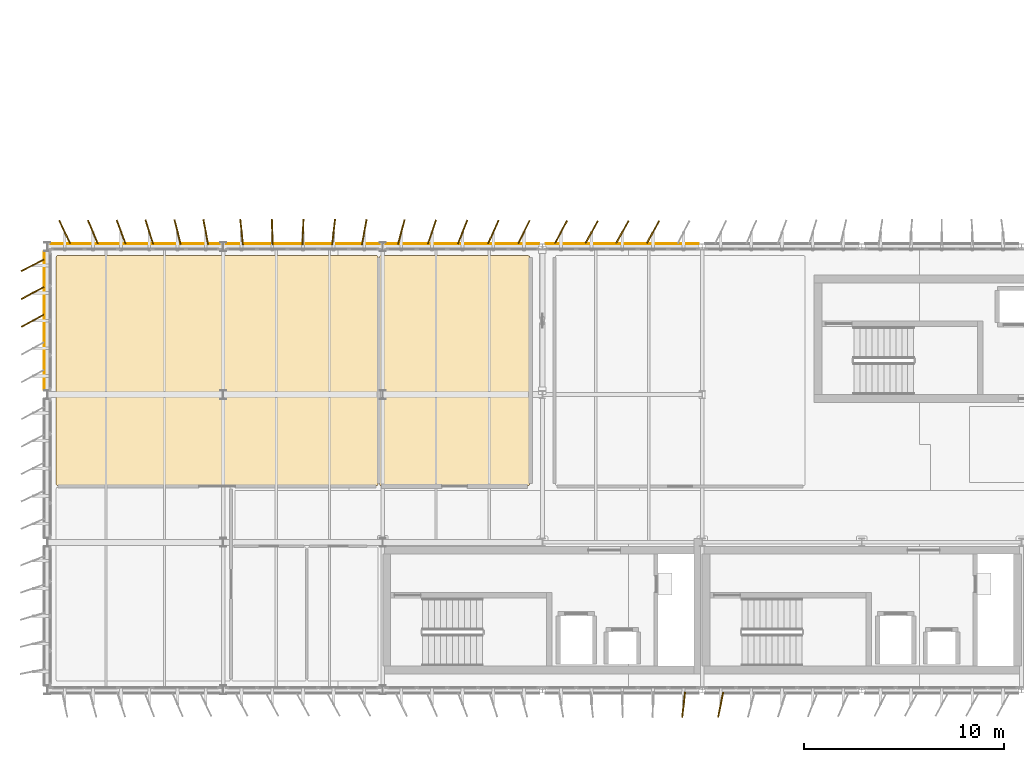
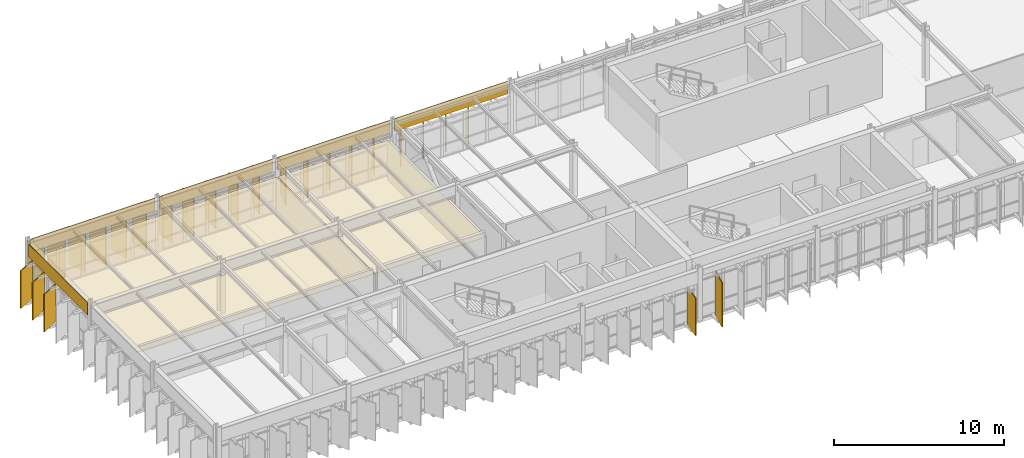
# One storey, part 31 of 35: 32 coverings.
"""IFC4 building model written with IfcOpenShell, lengths in metres."""

from ifc_helpers import new_model, si_unit, direction, frame, frame_2d, origin, origin_2d, place, context, subcontext, project, spatial, polyline, rectangle, outline, extrude, material, layer, layer_set, type_object, element, save


model = new_model("IFC4")

# Units and contexts
model_context = context("Model", 3, precision=1e-05, world=origin(), true_north=direction((0.0, 1.0)))
body_context = subcontext(model_context, "Body", "Model", "MODEL_VIEW")
ifc_project = project(units=[si_unit("LENGTHUNIT", "METRE"), si_unit("AREAUNIT", "SQUARE_METRE"), si_unit("VOLUMEUNIT", "CUBIC_METRE"), si_unit("PLANEANGLEUNIT", "RADIAN"), si_unit("MASSUNIT", "GRAM", prefix="KILO")], contexts=[model_context])

# Site, building, storey
site_placement = place(None, origin())
site = spatial("IfcSite", under=ifc_project, at=site_placement, CompositionType="ELEMENT")
building_placement = place(site_placement, origin())
building = spatial("IfcBuilding", under=site, at=building_placement, Name="Valkorina Park Police Headquarters", CompositionType="ELEMENT")
storey_placement = place(building_placement, frame((0.0, 0.0, 27.199951171875)))
storey = spatial("IfcBuildingStorey", under=building, at=storey_placement, Name="L07", CompositionType="ELEMENT", Elevation=27.199951171875)

# Coverings
ifc_material_1 = material(Name="Acoustic mineral board")
ifc_layer_1 = layer(ifc_material_1, 0.02490234375)
ifc_layer_set_1 = layer_set([ifc_layer_1], Name="Acoustic mineral board")
covering_type_1 = type_object("IfcCoveringType", Name="COV-CEILING-ACOUST", PredefinedType="CEILING", material=ifc_layer_set_1)
covering_1_placement = place(storey_placement, frame((0.0, 0.0, 2.755126953125)))
element("IfcCovering", 1, at=covering_1_placement, inside=storey, type_object=covering_type_1, Name="Joint Baltic Cross-Border Taskforce War Room Acoustic Suspended Ceiling", PredefinedType="CEILING", context=body_context, shape_type="SweptSolid", body=[
    extrude(outline(polyline([(16.49560546875, 58.758544921875), (16.48779296875, 58.759521484375), (16.47998046875, 58.760009765625), (0.52001953125, 58.760009765625), (0.51220703125, 58.759521484375), (0.50439453125, 58.758544921875), (0.496826171875, 58.756591796875), (0.489501953125, 58.75390625), (0.482421875, 58.75048828125), (0.4755859375, 58.74658203125), (0.46923828125, 58.74169921875), (0.46337890625, 58.736572265625), (0.458251953125, 58.730712890625), (0.45361328125, 58.724365234375), (0.449462890625, 58.7177734375), (0.446044921875, 58.710693359375), (0.443359375, 58.703125), (0.44140625, 58.695556640625), (0.4404296875, 58.687744140625), (0.43994140625, 58.679931640625), (0.43994140625, 47.320068359375), (0.4404296875, 47.312255859375), (0.44140625, 47.304443359375), (0.443359375, 47.296875), (0.446044921875, 47.289306640625), (0.449462890625, 47.2822265625), (0.45361328125, 47.275634765625), (0.458251953125, 47.269287109375), (0.46337890625, 47.263427734375), (0.46923828125, 47.25830078125), (0.4755859375, 47.25341796875), (0.482421875, 47.24951171875), (0.489501953125, 47.24609375), (0.496826171875, 47.243408203125), (0.50439453125, 47.241455078125), (0.51220703125, 47.240478515625), (0.52001953125, 47.239990234375), (16.47998046875, 47.239990234375), (16.48779296875, 47.240478515625), (16.49560546875, 47.241455078125), (16.503173828125, 47.243408203125), (16.510498046875, 47.24609375), (16.517578125, 47.24951171875), (16.5244140625, 47.25341796875), (16.53076171875, 47.25830078125), (16.53662109375, 47.263427734375), (16.541748046875, 47.269287109375), (16.54638671875, 47.275634765625), (16.550537109375, 47.2822265625), (16.553955078125, 47.289306640625), (16.556640625, 47.296875), (16.55859375, 47.304443359375), (16.5595703125, 47.312255859375), (16.56005859375, 47.320068359375), (16.56005859375, 58.679931640625), (16.5595703125, 58.687744140625), (16.55859375, 58.695556640625), (16.556640625, 58.703125), (16.553955078125, 58.710693359375), (16.550537109375, 58.7177734375), (16.54638671875, 58.724365234375), (16.541748046875, 58.730712890625), (16.53662109375, 58.736572265625), (16.53076171875, 58.74169921875), (16.5244140625, 58.74658203125), (16.517578125, 58.75048828125), (16.510498046875, 58.75390625), (16.503173828125, 58.756591796875), (16.49560546875, 58.758544921875)]), holes=[polyline([(8.64990234375, 51.574951171875), (8.64990234375, 52.02490234375), (8.949951171875, 52.02490234375), (8.949951171875, 51.574951171875), (8.64990234375, 51.574951171875)])]), origin(), (0.0, 0.0, 1.0), 0.02490234375),
])
covering_2_placement = place(storey_placement, frame((0.0, 0.0, 2.755126953125)))
element("IfcCovering", 2, at=covering_2_placement, inside=storey, type_object=covering_type_1, Name="Faraday Mobile-Device Digital Forensics Lab Acoustic Suspended Ceiling", PredefinedType="CEILING", context=body_context, shape_type="SweptSolid", body=[
    extrude(outline(polyline([(24.095703125, 58.758544921875), (24.087890625, 58.759521484375), (24.080078125, 58.760009765625), (16.719970703125, 58.760009765625), (16.712158203125, 58.759521484375), (16.704345703125, 58.758544921875), (16.69677734375, 58.756591796875), (16.689453125, 58.75390625), (16.682373046875, 58.75048828125), (16.675537109375, 58.74658203125), (16.669189453125, 58.74169921875), (16.663330078125, 58.736572265625), (16.658203125, 58.730712890625), (16.653564453125, 58.724365234375), (16.6494140625, 58.7177734375), (16.64599609375, 58.710693359375), (16.643310546875, 58.703125), (16.6416015625, 58.695556640625), (16.640380859375, 58.687744140625), (16.639892578125, 58.679931640625), (16.639892578125, 52.06494140625), (16.640380859375, 52.05712890625), (16.6416015625, 52.04931640625), (16.643310546875, 52.041748046875), (16.64599609375, 52.034423828125), (16.6494140625, 52.02734375), (16.65087890625, 52.02490234375), (16.949951171875, 52.02490234375), (16.949951171875, 51.574951171875), (16.65087890625, 51.574951171875), (16.6494140625, 51.57275390625), (16.64599609375, 51.565673828125), (16.643310546875, 51.55810546875), (16.6416015625, 51.550537109375), (16.640380859375, 51.542724609375), (16.639892578125, 51.534912109375), (16.639892578125, 47.320068359375), (16.640380859375, 47.312255859375), (16.6416015625, 47.304443359375), (16.643310546875, 47.296875), (16.64599609375, 47.289306640625), (16.6494140625, 47.2822265625), (16.653564453125, 47.275634765625), (16.658203125, 47.269287109375), (16.663330078125, 47.263427734375), (16.669189453125, 47.25830078125), (16.675537109375, 47.25341796875), (16.682373046875, 47.24951171875), (16.689453125, 47.24609375), (16.69677734375, 47.243408203125), (16.704345703125, 47.241455078125), (16.712158203125, 47.240478515625), (16.719970703125, 47.239990234375), (24.080078125, 47.239990234375), (24.087890625, 47.240478515625), (24.095703125, 47.241455078125), (24.103271484375, 47.243408203125), (24.110595703125, 47.24609375), (24.11767578125, 47.24951171875), (24.12451171875, 47.25341796875), (24.130859375, 47.25830078125), (24.13671875, 47.263427734375), (24.141845703125, 47.269287109375), (24.146484375, 47.275634765625), (24.150634765625, 47.2822265625), (24.15380859375, 47.289306640625), (24.156494140625, 47.296875), (24.158447265625, 47.304443359375), (24.15966796875, 47.312255859375), (24.159912109375, 47.320068359375), (24.159912109375, 58.679931640625), (24.15966796875, 58.687744140625), (24.158447265625, 58.695556640625), (24.156494140625, 58.703125), (24.15380859375, 58.710693359375), (24.150634765625, 58.7177734375), (24.146484375, 58.724365234375), (24.141845703125, 58.730712890625), (24.13671875, 58.736572265625), (24.130859375, 58.74169921875), (24.12451171875, 58.74658203125), (24.11767578125, 58.75048828125), (24.110595703125, 58.75390625), (24.103271484375, 58.756591796875), (24.095703125, 58.758544921875)])), origin(), (0.0, 0.0, 1.0), 0.02490234375),
])
ifc_material_2 = material(Name="Precast concrete C40/50", Category="concrete")
ifc_layer_2 = layer(ifc_material_2, 0.044921875)
ifc_layer_set_2 = layer_set([ifc_layer_2], Name="Precast concrete C40/50")
covering_type_2 = type_object("IfcCoveringType", Name="COV-CLAD-DOLOMITE", PredefinedType="CLADDING", material=ifc_layer_set_2)
covering_3_placement = place(storey_placement, frame((-0.159912109375, 52.034912109375, 2.77001953125), z_axis=(0.0, 0.0, 1.0), x_axis=(0.0, 1.0, 0.0)))
element("IfcCovering", 3, at=covering_3_placement, inside=storey, type_object=covering_type_2, Name="L07 Spandrel Beam Insulated Fascia 2563", PredefinedType="CLADDING", context=body_context, shape_type="SweptSolid", body=[
    extrude(rectangle(XDim=6.93017578125, YDim=0.044921875, at=frame_2d((3.465087890625, 0.0))), origin(), (0.0, 0.0, 1.0), 0.909912109375),
])
covering_4_placement = place(storey_placement, frame((0.159912109375, 59.360107421875, 2.77001953125), z_axis=(0.0, 0.0, 1.0), x_axis=(1.0, 0.0, 0.0)))
element("IfcCovering", 4, at=covering_4_placement, inside=storey, type_object=covering_type_2, Name="L07 Spandrel Beam Insulated Fascia 2564", PredefinedType="CLADDING", context=body_context, shape_type="SweptSolid", body=[
    extrude(rectangle(XDim=8.47998046875, YDim=0.044921875, at=frame_2d((4.239990234375, 0.0))), origin(), (0.0, 0.0, 1.0), 0.909912109375),
])
for number, where, z_axis, x_axis, name in (
    (5, (8.9599609375, 59.360107421875, 2.77001953125), (0.0, 0.0, 1.0), (1.0, 0.0, 0.0), "L07 Spandrel Beam Insulated Fascia 2565"),
    (6, (16.9599609375, 59.360107421875, 2.77001953125), (0.0, 0.0, 1.0), (1.0, 0.0, 0.0), "L07 Spandrel Beam Insulated Fascia 2566"),
    (7, (24.9599609375, 59.360107421875, 2.77001953125), (0.0, 0.0, 1.0), (1.0, 0.0, 0.0), "L07 Spandrel Beam Insulated Fascia 2567"),
):
    element("IfcCovering", number, at=place(storey_placement, frame(where, z_axis=z_axis, x_axis=x_axis)), inside=storey, type_object=covering_type_2, Name=name, PredefinedType="CLADDING", context=body_context, shape_type="SweptSolid", body=[
        extrude(rectangle(XDim=7.679931640625, YDim=0.044921875, at=frame_2d((3.83984375, 0.0))), origin(), (0.0, 0.0, 1.0), 0.909912109375),
    ])
ifc_material_3 = material(Name="Polychrome anodized aluminium - Baltic Amber", Category="aluminium")
ifc_layer_3 = layer(ifc_material_3, 0.06494140625)
ifc_layer_set_3 = layer_set([ifc_layer_3], Name="Polychrome anodized aluminium - Baltic Amber")
covering_type_3 = type_object("IfcCoveringType", Name="SHD-LOUVRE-AMBER", PredefinedType="CLADDING", material=ifc_layer_set_3)
for number, where, z_axis, x_axis, name in (
    (8, (-0.739990234375, 58.27197265625, 0.0400390625), (0.0, 0.0, 1.0), (-0.890451205327, -0.455078730475, 0.0), "V5 Polychrome Pivoting Louvre 0522"),
    (9, (5.106689453125, 59.93994140625, 0.0400390625), (0.0, 0.0, 1.0), (-0.301371546207, 0.953506786099, 0.0), "V5 Polychrome Pivoting Louvre 0526"),
    (10, (12.800048828125, 59.93994140625, 0.0400390625), (0.0, 0.0, 1.0), (0.041003738744, 0.999158993058, 0.0), "V5 Polychrome Pivoting Louvre 0531"),
    (11, (19.263916015625, 59.93994140625, 0.0400390625), (0.0, 0.0, 1.0), (0.318628456287, 0.947879690069, 0.0), "V5 Polychrome Pivoting Louvre 0535"),
    (12, (25.72802734375, 59.93994140625, 0.0400390625), (0.0, 0.0, 1.0), (0.469625659061, 0.882865641166, 0.0), "V5 Polychrome Pivoting Louvre 0539"),
):
    element("IfcCovering", number, at=place(storey_placement, frame(where, z_axis=z_axis, x_axis=x_axis)), inside=storey, type_object=covering_type_3, Name=name, PredefinedType="CLADDING", context=body_context, shape_type="SweptSolid", body=[
        extrude(rectangle(XDim=1.280029296875, YDim=0.06494140625, at=origin_2d()), origin(), (0.0, 0.0, 1.0), 2.7099609375),
    ])
ifc_material_4 = material(Name="Polychrome anodized aluminium - Riga Ochre", Category="aluminium")
ifc_layer_4 = layer(ifc_material_4, 0.06494140625)
ifc_layer_set_4 = layer_set([ifc_layer_4], Name="Polychrome anodized aluminium - Riga Ochre")
covering_type_4 = type_object("IfcCoveringType", Name="SHD-LOUVRE-OCHRE", PredefinedType="CLADDING", material=ifc_layer_set_4)
for number, where, z_axis, x_axis, name in (
    (13, (31.8720703125, 36.260009765625, 0.0400390625), (0.0, 0.0, 1.0), (-0.114243617521, -0.993452764783, 0.0), "V5 Polychrome Pivoting Louvre 0487"),
    (14, (-0.739990234375, 55.5, 0.0400390625), (0.0, 0.0, 1.0), (-0.877648571535, -0.479304688984, 0.0), "V5 Polychrome Pivoting Louvre 0520"),
    (15, (2.280029296875, 59.93994140625, 0.0400390625), (0.0, 0.0, 1.0), (-0.391373666837, 0.920231847366, 0.0), "V5 Polychrome Pivoting Louvre 0524"),
    (16, (7.933349609375, 59.93994140625, 0.0400390625), (0.0, 0.0, 1.0), (-0.187209870265, 0.982319939976, 0.0), "V5 Polychrome Pivoting Louvre 0528"),
    (17, (9.72802734375, 59.93994140625, 0.0400390625), (0.0, 0.0, 1.0), (-0.105569866657, 0.99441188813, 0.0), "V5 Polychrome Pivoting Louvre 0529"),
    (18, (15.8720703125, 59.93994140625, 0.0400390625), (0.0, 0.0, 1.0), (0.183436661675, 0.983031531108, 0.0), "V5 Polychrome Pivoting Louvre 0533"),
    (19, (22.3359375, 59.93994140625, 0.0400390625), (0.0, 0.0, 1.0), (0.409923033842, 0.912120116172, 0.0), "V5 Polychrome Pivoting Louvre 0537"),
    (20, (28.800048828125, 59.93994140625, 0.0400390625), (0.0, 0.0, 1.0), (0.484656962927, 0.874704309059, 0.0), "V5 Polychrome Pivoting Louvre 0541"),
):
    element("IfcCovering", number, at=place(storey_placement, frame(where, z_axis=z_axis, x_axis=x_axis)), inside=storey, type_object=covering_type_4, Name=name, PredefinedType="CLADDING", context=body_context, shape_type="SweptSolid", body=[
        extrude(rectangle(XDim=1.280029296875, YDim=0.06494140625, at=origin_2d()), origin(), (0.0, 0.0, 1.0), 2.7099609375),
    ])
ifc_material_5 = material(Name="Polychrome anodized aluminium - Courland Slate Blue", Category="masonry")
ifc_layer_5 = layer(ifc_material_5, 0.06494140625)
ifc_layer_set_5 = layer_set([ifc_layer_5], Name="Polychrome anodized aluminium - Courland Slate Blue")
covering_type_5 = type_object("IfcCoveringType", Name="SHD-LOUVRE-SLATE", PredefinedType="CLADDING", material=ifc_layer_set_5)
for number, where, z_axis, x_axis, name in (
    (21, (-0.739990234375, 56.885986328125, 0.0400390625), (0.0, 0.0, 1.0), (-0.882865641166, -0.469625659061, 0.0), "V5 Polychrome Pivoting Louvre 0521"),
    (22, (3.693359375, 59.93994140625, 0.0400390625), (0.0, 0.0, 1.0), (-0.349880399656, 0.936794377618, 0.0), "V5 Polychrome Pivoting Louvre 0525"),
    (23, (11.263916015625, 59.93994140625, 0.0400390625), (0.0, 0.0, 1.0), (-0.032631862958, 0.999467438949, 0.0), "V5 Polychrome Pivoting Louvre 0530"),
    (24, (17.72802734375, 59.93994140625, 0.0400390625), (0.0, 0.0, 1.0), (0.261178472154, 0.965290529158, 0.0), "V5 Polychrome Pivoting Louvre 0534"),
    (25, (23.8720703125, 59.93994140625, 0.0400390625), (0.0, 0.0, 1.0), (0.442601730913, 0.896718299017, 0.0), "V5 Polychrome Pivoting Louvre 0538"),
    (26, (30.3359375, 59.93994140625, 0.0400390625), (0.0, 0.0, 1.0), (0.477925491081, 0.878400378515, 0.0), "V5 Polychrome Pivoting Louvre 0542"),
):
    element("IfcCovering", number, at=place(storey_placement, frame(where, z_axis=z_axis, x_axis=x_axis)), inside=storey, type_object=covering_type_5, Name=name, PredefinedType="CLADDING", context=body_context, shape_type="SweptSolid", body=[
        extrude(rectangle(XDim=1.280029296875, YDim=0.06494140625, at=origin_2d()), origin(), (0.0, 0.0, 1.0), 2.7099609375),
    ])
ifc_material_6 = material(Name="Polychrome anodized aluminium - Pine Verdigris", Category="aluminium")
ifc_layer_6 = layer(ifc_material_6, 0.06494140625)
ifc_layer_set_6 = layer_set([ifc_layer_6], Name="Polychrome anodized aluminium - Pine Verdigris")
covering_type_6 = type_object("IfcCoveringType", Name="SHD-LOUVRE-VERDIGRIS", PredefinedType="CLADDING", material=ifc_layer_set_6)
covering_5_placement = place(storey_placement, frame((33.72802734375, 36.260009765625, 0.0400390625), z_axis=(0.0, 0.0, 1.0), x_axis=(-0.197828426963, -0.980236661978, 0.0)))
element("IfcCovering", 27, at=covering_5_placement, inside=storey, type_object=covering_type_6, Name="V5 Polychrome Pivoting Louvre 0486", PredefinedType="CLADDING", context=body_context, shape_type="SweptSolid", body=[
    extrude(rectangle(XDim=1.280029296875, YDim=0.06494140625, at=origin_2d()), origin(), (0.0, 0.0, 1.0), 3.2099609375),
])
for number, where, z_axis, x_axis, name in (
    (28, (0.86669921875, 59.93994140625, 0.0400390625), (0.0, 0.0, 1.0), (-0.425621362969, 0.90490135119, 0.0), "V5 Polychrome Pivoting Louvre 0523"),
    (29, (6.52001953125, 59.93994140625, 0.0400390625), (0.0, 0.0, 1.0), (-0.246829883811, 0.969058826108, 0.0), "V5 Polychrome Pivoting Louvre 0527"),
    (30, (14.3359375, 59.93994140625, 0.0400390625), (0.0, 0.0, 1.0), (0.113723431234, 0.993512446418, 0.0), "V5 Polychrome Pivoting Louvre 0532"),
    (31, (20.800048828125, 59.93994140625, 0.0400390625), (0.0, 0.0, 1.0), (0.36844908347, 0.929647929536, 0.0), "V5 Polychrome Pivoting Louvre 0536"),
    (32, (27.263916015625, 59.93994140625, 0.0400390625), (0.0, 0.0, 1.0), (0.481906611132, 0.876222584819, 0.0), "V5 Polychrome Pivoting Louvre 0540"),
):
    element("IfcCovering", number, at=place(storey_placement, frame(where, z_axis=z_axis, x_axis=x_axis)), inside=storey, type_object=covering_type_6, Name=name, PredefinedType="CLADDING", context=body_context, shape_type="SweptSolid", body=[
        extrude(rectangle(XDim=1.280029296875, YDim=0.06494140625, at=origin_2d()), origin(), (0.0, 0.0, 1.0), 2.7099609375),
    ])

save(model, "model.ifc")
